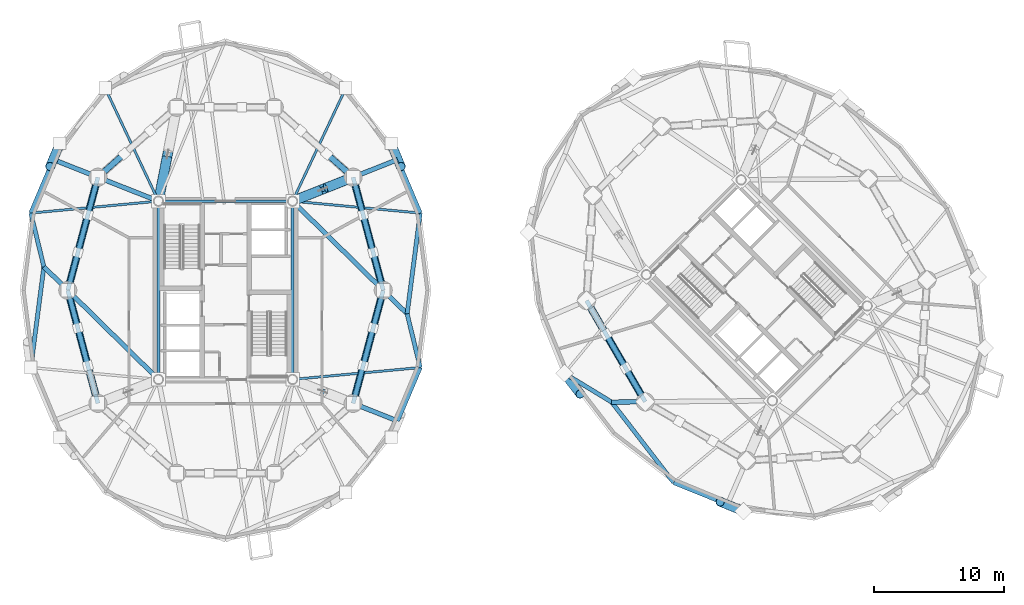
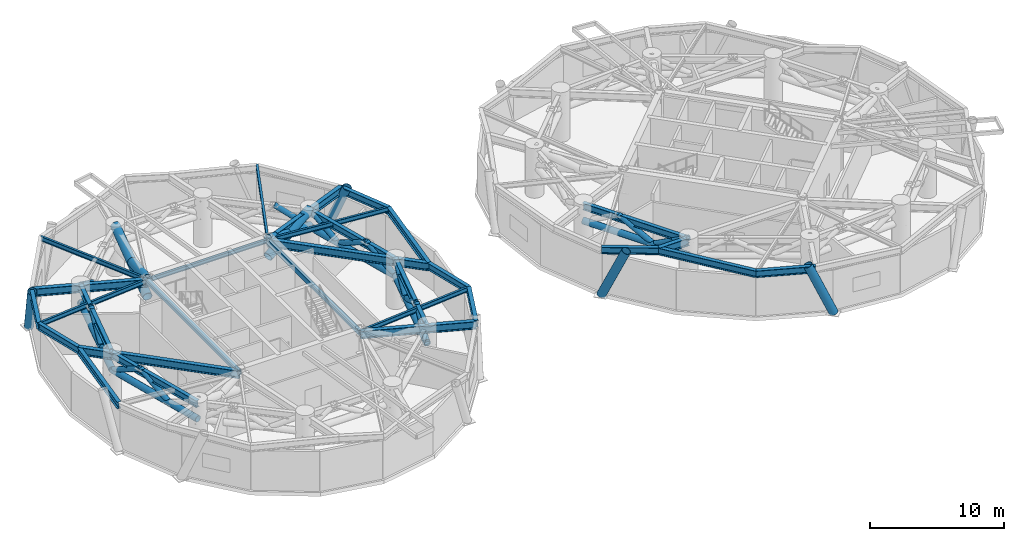
# One storey, part 2 of 16: 31 beams, 29 members.
"""IFC4 building model written with IfcOpenShell, lengths in metres."""

from ifc_helpers import new_model, si_unit, direction, frame, origin, origin_2d, place, context, subcontext, project, spatial, hollow_rectangle, hollow_circle, i_section, extrude, material, material_profile, profile_set, type_object, element, save


model = new_model("IFC4")

# Units and contexts
model_context = context("Model", 3, precision=1e-05, world=origin(), true_north=direction((0.0, 1.0)))
body_context = subcontext(model_context, "Body", "Model", "MODEL_VIEW")
ifc_project = project(units=[si_unit("LENGTHUNIT", "METRE"), si_unit("AREAUNIT", "SQUARE_METRE"), si_unit("VOLUMEUNIT", "CUBIC_METRE"), si_unit("PLANEANGLEUNIT", "RADIAN"), si_unit("MASSUNIT", "GRAM", prefix="KILO")], contexts=[model_context])

# Site, building, storey
site_placement = place(None, origin())
site = spatial("IfcSite", under=ifc_project, at=site_placement, CompositionType="ELEMENT")
building_placement = place(site_placement, origin())
building = spatial("IfcBuilding", under=site, at=building_placement, Name="Cununo Teusaquillo Station Towers", CompositionType="ELEMENT")
storey_placement = place(building_placement, frame((0.0, 0.0, 65.64990234375)))
storey = spatial("IfcBuildingStorey", under=building, at=storey_placement, Name="L20", CompositionType="ELEMENT", Elevation=65.64990234375)

# Beams
ifc_material_1 = material(Name="Steel EN 10025-2 S355J2", Category="steel")
ifc_material_profile_1 = material_profile(ifc_material_1, hollow_rectangle(XDim=0.25, YDim=0.449951171875, WallThickness=0.01611328125, at=origin_2d()), Name="RHS 450x250x16")
ifc_profile_set_1 = profile_set([ifc_material_profile_1], Name="Steel EN 10025-2 S355J2")
beam_type_1 = type_object("IfcBeamType", Name="BM-COUP-1", PredefinedType="USERDEFINED", material=ifc_profile_set_1)
for number, where, z_axis, x_axis, name in (
    (1, (11.324951171875, 17.6201171875, 4.03515625), (0.0, 1.0, 0.0), (-1.0, 0.0, 0.0), "L20 Tower A Core Beam 1"),
    (2, (21.675048828125, 17.6201171875, 4.03515625), (0.0, 1.0, 0.0), (-1.0, 0.0, 0.0), "L20 Tower A Core Beam 2"),
):
    element("IfcBeam", number, at=place(storey_placement, frame(where, z_axis=z_axis, x_axis=x_axis)), inside=storey, type_object=beam_type_1, Name=name, ObjectType="COUPLING BEAM", PredefinedType="USERDEFINED", context=body_context, shape_type="SweptSolid", body=[
        extrude(hollow_rectangle(XDim=0.25, YDim=0.449951171875, WallThickness=0.01611328125, at=origin_2d()), origin(), (0.0, 0.0, 1.0), 13.759765625),
    ])
ifc_material_2 = material(Name="Steel ASTM A572 Grade 50", Category="steel")
ifc_material_profile_2 = material_profile(ifc_material_2, i_section(OverallWidth=0.180908203125, OverallDepth=0.4169921875, WebThickness=0.010986328125, FlangeThickness=0.018310546875, FilletRadius=0.012939453125, at=origin_2d()), Name="W16X57")
ifc_profile_set_2 = profile_set([ifc_material_profile_2], Name="Steel ASTM A572 Grade 50")
beam_type_2 = type_object("IfcBeamType", Name="BM-JOIST-1", PredefinedType="JOIST", material=ifc_profile_set_2)
beam_1_placement = place(storey_placement, frame((21.675048828125, 31.3798828125, 4.051513671875), z_axis=(0.995678537907, -0.09286683558, 0.0), x_axis=(0.09286683558, 0.995678537907, 0.0)))
element("IfcBeam", 3, at=beam_1_placement, inside=storey, type_object=beam_type_2, Name="L20 Tower A Radial Spandrel Joist V01", PredefinedType="JOIST", context=body_context, shape_type="SweptSolid", body=[
    extrude(i_section(OverallWidth=0.180908203125, OverallDepth=0.4169921875, WebThickness=0.010986328125, FlangeThickness=0.018310546875, FilletRadius=0.012939453125, at=origin_2d()), origin(), (0.0, 0.0, 1.0), 9.895263671875),
])
for number, where, z_axis, x_axis, name in (
    (4, (21.675048828125, 31.3798828125, 4.051513671875), (0.426319838016, 0.904572493344, 0.0), (-0.904572493344, 0.426319838016, 0.0), "L20 Tower A Radial Spandrel Joist V03"),
    (5, (11.324951171875, 31.3798828125, 4.051513671875), (-0.426319838016, 0.904572493344, 0.0), (-0.904572493344, -0.426319838016, 0.0), "L20 Tower A Radial Spandrel Joist V07"),
):
    element("IfcBeam", number, at=place(storey_placement, frame(where, z_axis=z_axis, x_axis=x_axis)), inside=storey, type_object=beam_type_2, Name=name, PredefinedType="JOIST", context=body_context, shape_type="SweptSolid", body=[
        extrude(i_section(OverallWidth=0.180908203125, OverallDepth=0.4169921875, WebThickness=0.010986328125, FlangeThickness=0.018310546875, FilletRadius=0.012939453125, at=origin_2d()), origin(), (0.0, 0.0, 1.0), 9.646728515625),
    ])
for number, where, z_axis, x_axis, name in (
    (6, (11.324951171875, 31.3798828125, 4.051513671875), (-0.995678537907, -0.09286683558, 0.0), (0.09286683558, -0.995678537907, 0.0), "L20 Tower A Radial Spandrel Joist V09"),
    (7, (21.675048828125, 17.6201171875, 4.051513671875), (0.995678537907, 0.09286683558, 0.0), (-0.09286683558, 0.995678537907, 0.0), "L20 Tower A Radial Spandrel Joist V19"),
):
    element("IfcBeam", number, at=place(storey_placement, frame(where, z_axis=z_axis, x_axis=x_axis)), inside=storey, type_object=beam_type_2, Name=name, PredefinedType="JOIST", context=body_context, shape_type="SweptSolid", body=[
        extrude(i_section(OverallWidth=0.180908203125, OverallDepth=0.4169921875, WebThickness=0.010986328125, FlangeThickness=0.018310546875, FilletRadius=0.012939453125, at=origin_2d()), origin(), (0.0, 0.0, 1.0), 9.895263671875),
    ])
ifc_material_3 = material(Name="Steel ASTM A572 Grade 50", Category="steel")
ifc_material_profile_3 = material_profile(ifc_material_3, i_section(OverallWidth=0.2041015625, OverallDepth=0.35009765625, WebThickness=0.008544921875, FlangeThickness=0.01513671875, FilletRadius=0.011962890625, at=origin_2d()), Name="W14X48")
ifc_profile_set_3 = profile_set([ifc_material_profile_3], Name="Steel ASTM A572 Grade 50")
beam_type_3 = type_object("IfcBeamType", Name="BM-LINTEL-1", PredefinedType="LINTEL", material=ifc_profile_set_3)
beam_2_placement = place(storey_placement, frame((11.324951171875, 31.3798828125, 4.085205078125), z_axis=(1.0, 0.0, 0.0), x_axis=(0.0, 1.0, 0.0)))
element("IfcBeam", 8, at=beam_2_placement, inside=storey, type_object=beam_type_3, Name="L20 Tower A Core Beam 4", PredefinedType="LINTEL", context=body_context, shape_type="SweptSolid", body=[
    extrude(i_section(OverallWidth=0.2041015625, OverallDepth=0.35009765625, WebThickness=0.008544921875, FlangeThickness=0.01513671875, FilletRadius=0.011962890625, at=origin_2d()), origin(), (0.0, 0.0, 1.0), 10.35009765625),
])
ifc_material_4 = material(Name="Steel ASTM A572 Grade 50", Category="steel")
ifc_material_profile_4 = material_profile(ifc_material_4, i_section(OverallWidth=0.35498046875, OverallDepth=0.696044921875, WebThickness=0.015380859375, FlangeThickness=0.02490234375, FilletRadius=0.01806640625, at=origin_2d()), Name="W27X146")
ifc_profile_set_4 = profile_set([ifc_material_profile_4], Name="Steel ASTM A572 Grade 50")
beam_type_4 = type_object("IfcBeamType", Name="BM-PLNT-G1", PredefinedType="BEAM", material=ifc_profile_set_4)
beam_3_placement = place(storey_placement, frame((21.675048828125, 31.3798828125, 3.912109375), z_axis=(0.713047137857, -0.701116095375, 0.0), x_axis=(0.701116095375, 0.713047137857, 0.0)))
element("IfcBeam", 9, at=beam_3_placement, inside=storey, type_object=beam_type_4, Name="L20 Tower A Continuous Overhanging Radial Girder 01", PredefinedType="BEAM", context=body_context, shape_type="SweptSolid", body=[
    extrude(i_section(OverallWidth=0.35498046875, OverallDepth=0.696044921875, WebThickness=0.015380859375, FlangeThickness=0.02490234375, FilletRadius=0.01806640625, at=origin_2d()), origin(), (0.0, 0.0, 1.0), 12.400390625),
])
beam_4_placement = place(storey_placement, frame((21.675048828125, 31.3798828125, 3.912109375), z_axis=(0.929864104313, 0.367903176814, 0.0), x_axis=(-0.367903176814, 0.929864104313, 0.0)))
element("IfcBeam", 10, at=beam_4_placement, inside=storey, type_object=beam_type_4, Name="L20 Tower A Radial Girder 02A", PredefinedType="BEAM", context=body_context, shape_type="SweptSolid", body=[
    extrude(i_section(OverallWidth=0.35498046875, OverallDepth=0.696044921875, WebThickness=0.015380859375, FlangeThickness=0.02490234375, FilletRadius=0.01806640625, at=origin_2d()), origin(), (0.0, 0.0, 1.0), 5.02490234375),
])
beam_5_placement = place(storey_placement, frame((26.347412109375, 33.228515625, 3.912109375), z_axis=(0.929861788731, 0.367909029323, 0.0), x_axis=(-0.367909029323, 0.929861788731, 0.0)))
element("IfcBeam", 11, at=beam_5_placement, inside=storey, type_object=beam_type_4, Name="L20 Tower A Perimeter Overhang Girder 02B", PredefinedType="BEAM", context=body_context, shape_type="SweptSolid", body=[
    extrude(i_section(OverallWidth=0.35498046875, OverallDepth=0.696044921875, WebThickness=0.015380859375, FlangeThickness=0.02490234375, FilletRadius=0.01806640625, at=origin_2d()), origin(), (0.0, 0.0, 1.0), 3.690185546875),
])
beam_6_placement = place(storey_placement, frame((11.324951171875, 31.3798828125, 3.912109375), z_axis=(-0.929863123823, 0.367905654963, 0.0), x_axis=(-0.367905654963, -0.929863123823, 0.0)))
element("IfcBeam", 12, at=beam_6_placement, inside=storey, type_object=beam_type_4, Name="L20 Tower A Continuous Overhanging Radial Girder 05", PredefinedType="BEAM", context=body_context, shape_type="SweptSolid", body=[
    extrude(i_section(OverallWidth=0.35498046875, OverallDepth=0.696044921875, WebThickness=0.015380859375, FlangeThickness=0.02490234375, FilletRadius=0.01806640625, at=origin_2d()), origin(), (0.0, 0.0, 1.0), 8.715087890625),
])
beam_7_placement = place(storey_placement, frame((11.324951171875, 17.6201171875, 3.912109375), z_axis=(-0.713052701438, 0.701110437073, 0.0), x_axis=(-0.701110437073, -0.713052701438, 0.0)))
element("IfcBeam", 13, at=beam_7_placement, inside=storey, type_object=beam_type_4, Name="L20 Tower A Radial Girder 06A", PredefinedType="BEAM", context=body_context, shape_type="SweptSolid", body=[
    extrude(i_section(OverallWidth=0.35498046875, OverallDepth=0.696044921875, WebThickness=0.015380859375, FlangeThickness=0.02490234375, FilletRadius=0.01806640625, at=origin_2d()), origin(), (0.0, 0.0, 1.0), 9.812744140625),
])
beam_8_placement = place(storey_placement, frame((4.327880859375, 24.5, 3.912109375), z_axis=(-0.7130260383, 0.701137553342, 0.0), x_axis=(-0.701137553342, -0.7130260383, 0.0)))
element("IfcBeam", 14, at=beam_8_placement, inside=storey, type_object=beam_type_4, Name="L20 Tower A Perimeter Overhang Girder 06B", PredefinedType="BEAM", context=body_context, shape_type="SweptSolid", body=[
    extrude(i_section(OverallWidth=0.35498046875, OverallDepth=0.696044921875, WebThickness=0.015380859375, FlangeThickness=0.02490234375, FilletRadius=0.01806640625, at=origin_2d()), origin(), (0.0, 0.0, 1.0), 2.58740234375),
])
beam_9_placement = place(storey_placement, frame((21.675048828125, 17.6201171875, 3.912109375), z_axis=(0.929863123823, -0.367905654963, 0.0), x_axis=(0.367905654963, 0.929863123823, 0.0)))
element("IfcBeam", 15, at=beam_9_placement, inside=storey, type_object=beam_type_4, Name="L20 Tower A Continuous Overhanging Radial Girder 10", PredefinedType="BEAM", context=body_context, shape_type="SweptSolid", body=[
    extrude(i_section(OverallWidth=0.35498046875, OverallDepth=0.696044921875, WebThickness=0.015380859375, FlangeThickness=0.02490234375, FilletRadius=0.01806640625, at=origin_2d()), origin(), (0.0, 0.0, 1.0), 8.715087890625),
])
beam_10_placement = place(storey_placement, frame((48.89306640625, 15.89306640625, 3.912109375), z_axis=(-0.999963950292, -0.008491060999, 0.0), x_axis=(0.008491060999, -0.999963950292, 0.0)))
element("IfcBeam", 16, at=beam_10_placement, inside=storey, type_object=beam_type_4, Name="L20 Tower B Perimeter Overhang Girder 06B", PredefinedType="BEAM", context=body_context, shape_type="SweptSolid", body=[
    extrude(i_section(OverallWidth=0.35498046875, OverallDepth=0.696044921875, WebThickness=0.015380859375, FlangeThickness=0.02490234375, FilletRadius=0.01806640625, at=origin_2d()), origin(), (0.0, 0.0, 1.0), 2.587646484375),
])
ifc_material_5 = material(Name="Steel ASTM A572 Grade 50", Category="steel")
ifc_material_profile_5 = material_profile(ifc_material_5, i_section(OverallWidth=0.324951171875, OverallDepth=0.615966796875, WebThickness=0.013916015625, FlangeThickness=0.021484375, FilletRadius=0.01611328125, at=origin_2d()), Name="W24X117")
ifc_profile_set_5 = profile_set([ifc_material_profile_5], Name="Steel ASTM A572 Grade 50")
beam_type_5 = type_object("IfcBeamType", Name="BM-PLNT-G2", PredefinedType="BEAM", material=ifc_profile_set_5)
for number, where, z_axis, x_axis, name in (
    (17, (28.672119140625, 24.5, 3.9521484375), (-0.257363196347, 0.966314744359, 0.0), (-0.966314744359, -0.257363196347, 0.0), "L20 Tower A Structural Column Ring Girder 01"),
    (18, (6.652587890625, 33.228515625, 3.9521484375), (-0.257363196347, -0.966314744359, 0.0), (0.966314744359, -0.257363196347, 0.0), "L20 Tower A Structural Column Ring Girder 05"),
    (19, (4.327880859375, 24.5, 3.9521484375), (0.257363196347, -0.966314744359, 0.0), (0.966314744359, 0.257363196347, 0.0), "L20 Tower A Structural Column Ring Girder 06"),
    (20, (26.347412109375, 15.771484375, 3.9521484375), (0.257363196347, 0.966314744359, 0.0), (-0.966314744359, 0.257363196347, 0.0), "L20 Tower A Structural Column Ring Girder 10"),
):
    element("IfcBeam", number, at=place(storey_placement, frame(where, z_axis=z_axis, x_axis=x_axis)), inside=storey, type_object=beam_type_5, Name=name, PredefinedType="BEAM", context=body_context, shape_type="SweptSolid", body=[
        extrude(i_section(OverallWidth=0.324951171875, OverallDepth=0.615966796875, WebThickness=0.013916015625, FlangeThickness=0.021484375, FilletRadius=0.01611328125, at=origin_2d()), origin(), (0.0, 0.0, 1.0), 9.03271484375),
    ])
beam_11_placement = place(storey_placement, frame((30.51708984375, 22.685791015625, 3.9521484375), z_axis=(0.12888124113, 0.991660035337, 0.0), x_axis=(-0.991660035337, 0.12888124113, 0.0)))
element("IfcBeam", 21, at=beam_11_placement, inside=storey, type_object=beam_type_5, Name="L20 Tower A Spandrel Ring Beam 01", PredefinedType="BEAM", context=body_context, shape_type="SweptSolid", body=[
    extrude(i_section(OverallWidth=0.324951171875, OverallDepth=0.615966796875, WebThickness=0.013916015625, FlangeThickness=0.021484375, FilletRadius=0.01611328125, at=origin_2d()), origin(), (0.0, 0.0, 1.0), 7.840576171875),
])
for number, where, z_axis, x_axis, name in (
    (22, (31.527587890625, 30.4609375, 3.9521484375), (-0.390299356049, 0.920688010494, 0.0), (-0.920688010494, -0.390299356049, 0.0), "L20 Tower A Spandrel Ring Beam 02"),
    (23, (3.22119140625, 34.586181640625, 3.9521484375), (-0.390299356049, -0.920688010494, 0.0), (0.920688010494, -0.390299356049, 0.0), "L20 Tower A Spandrel Ring Beam 09"),
):
    element("IfcBeam", number, at=place(storey_placement, frame(where, z_axis=z_axis, x_axis=x_axis)), inside=storey, type_object=beam_type_5, Name=name, PredefinedType="BEAM", context=body_context, shape_type="SweptSolid", body=[
        extrude(i_section(OverallWidth=0.324951171875, OverallDepth=0.615966796875, WebThickness=0.013916015625, FlangeThickness=0.021484375, FilletRadius=0.01611328125, at=origin_2d()), origin(), (0.0, 0.0, 1.0), 4.480712890625),
    ])
beam_12_placement = place(storey_placement, frame((1.472412109375, 30.4609375, 3.9521484375), z_axis=(0.236757334703, -0.971568816124, 0.0), x_axis=(0.971568816124, 0.236757334703, 0.0)))
element("IfcBeam", 24, at=beam_12_placement, inside=storey, type_object=beam_type_5, Name="L20 Tower A Spandrel Ring Beam 10", PredefinedType="BEAM", context=body_context, shape_type="SweptSolid", body=[
    extrude(i_section(OverallWidth=0.324951171875, OverallDepth=0.615966796875, WebThickness=0.013916015625, FlangeThickness=0.021484375, FilletRadius=0.01611328125, at=origin_2d()), origin(), (0.0, 0.0, 1.0), 4.26806640625),
])
beam_13_placement = place(storey_placement, frame((2.48291015625, 26.314208984375, 3.9521484375), z_axis=(-0.12888124113, -0.991660035337, 0.0), x_axis=(0.991660035337, -0.12888124113, 0.0)))
element("IfcBeam", 25, at=beam_13_placement, inside=storey, type_object=beam_type_5, Name="L20 Tower A Spandrel Ring Beam 11", PredefinedType="BEAM", context=body_context, shape_type="SweptSolid", body=[
    extrude(i_section(OverallWidth=0.324951171875, OverallDepth=0.615966796875, WebThickness=0.013916015625, FlangeThickness=0.021484375, FilletRadius=0.01611328125, at=origin_2d()), origin(), (0.0, 0.0, 1.0), 7.840576171875),
])
beam_14_placement = place(storey_placement, frame((29.77880859375, 14.413818359375, 3.9521484375), z_axis=(0.390299356049, 0.920688010494, 0.0), x_axis=(-0.920688010494, 0.390299356049, 0.0)))
element("IfcBeam", 26, at=beam_14_placement, inside=storey, type_object=beam_type_5, Name="L20 Tower A Spandrel Ring Beam 19", PredefinedType="BEAM", context=body_context, shape_type="SweptSolid", body=[
    extrude(i_section(OverallWidth=0.324951171875, OverallDepth=0.615966796875, WebThickness=0.013916015625, FlangeThickness=0.021484375, FilletRadius=0.01611328125, at=origin_2d()), origin(), (0.0, 0.0, 1.0), 4.480712890625),
])
beam_15_placement = place(storey_placement, frame((31.527587890625, 18.5390625, 3.9521484375), z_axis=(-0.236757334703, 0.971568816124, 0.0), x_axis=(-0.971568816124, -0.236757334703, 0.0)))
element("IfcBeam", 27, at=beam_15_placement, inside=storey, type_object=beam_type_5, Name="L20 Tower A Spandrel Ring Beam 20", PredefinedType="BEAM", context=body_context, shape_type="SweptSolid", body=[
    extrude(i_section(OverallWidth=0.324951171875, OverallDepth=0.615966796875, WebThickness=0.013916015625, FlangeThickness=0.021484375, FilletRadius=0.01611328125, at=origin_2d()), origin(), (0.0, 0.0, 1.0), 4.26806640625),
])
beam_16_placement = place(storey_placement, frame((44.36474609375, 23.708984375, 3.9521484375), z_axis=(0.501311121078, -0.865267103202, 0.0), x_axis=(0.865267103202, 0.501311121078, 0.0)))
element("IfcBeam", 28, at=beam_16_placement, inside=storey, type_object=beam_type_5, Name="L20 Tower B Structural Column Ring Girder 05", PredefinedType="BEAM", context=body_context, shape_type="SweptSolid", body=[
    extrude(i_section(OverallWidth=0.324951171875, OverallDepth=0.615966796875, WebThickness=0.013916015625, FlangeThickness=0.021484375, FilletRadius=0.01611328125, at=origin_2d()), origin(), (0.0, 0.0, 1.0), 9.032958984375),
])
beam_17_placement = place(storey_placement, frame((42.658935546875, 18.0888671875, 3.9521484375), z_axis=(0.854388492444, -0.519634779416, 0.0), x_axis=(0.519634779416, 0.854388492444, 0.0)))
element("IfcBeam", 29, at=beam_17_placement, inside=storey, type_object=beam_type_5, Name="L20 Tower B Spandrel Ring Beam 10", PredefinedType="BEAM", context=body_context, shape_type="SweptSolid", body=[
    extrude(i_section(OverallWidth=0.324951171875, OverallDepth=0.615966796875, WebThickness=0.013916015625, FlangeThickness=0.021484375, FilletRadius=0.01611328125, at=origin_2d()), origin(), (0.0, 0.0, 1.0), 4.26806640625),
])
beam_18_placement = place(storey_placement, frame((46.305419921875, 15.87109375, 3.9521484375), z_axis=(0.610100441726, -0.792324082056, 0.0), x_axis=(0.792324082056, 0.610100441726, 0.0)))
element("IfcBeam", 30, at=beam_18_placement, inside=storey, type_object=beam_type_5, Name="L20 Tower B Spandrel Ring Beam 11", PredefinedType="BEAM", context=body_context, shape_type="SweptSolid", body=[
    extrude(i_section(OverallWidth=0.324951171875, OverallDepth=0.615966796875, WebThickness=0.013916015625, FlangeThickness=0.021484375, FilletRadius=0.01611328125, at=origin_2d()), origin(), (0.0, 0.0, 1.0), 7.84033203125),
])
beam_19_placement = place(storey_placement, frame((51.0888671875, 9.658935546875, 3.9521484375), z_axis=(0.927007712072, -0.375042266631, 0.0), x_axis=(0.375042266631, 0.927007712072, 0.0)))
element("IfcBeam", 31, at=beam_19_placement, inside=storey, type_object=beam_type_5, Name="L20 Tower B Spandrel Ring Beam 12", PredefinedType="BEAM", context=body_context, shape_type="SweptSolid", body=[
    extrude(i_section(OverallWidth=0.324951171875, OverallDepth=0.615966796875, WebThickness=0.013916015625, FlangeThickness=0.021484375, FilletRadius=0.01611328125, at=origin_2d()), origin(), (0.0, 0.0, 1.0), 4.480712890625),
])

# Members
ifc_material_6 = material(Name="Steel EN 10025-2 S355J2", Category="steel")
ifc_material_profile_6 = material_profile(ifc_material_6, hollow_circle(Radius=0.279541015625, WallThickness=0.02001953125, at=origin_2d()), Name="CHS 559x20")
ifc_profile_set_6 = profile_set([ifc_material_profile_6], Name="Steel EN 10025-2 S355J2")
member_type_1 = type_object("IfcMemberType", Name="MBR-BELT-CH", PredefinedType="CHORD", material=ifc_profile_set_6)
for number, where, z_axis, x_axis, name in (
    (32, (28.672119140625, 24.5, 2.580078125), (-0.257363196347, 0.966314744359, 0.0), (-0.966314744359, -0.257363196347, 0.0), "L20 Tower A Belt Truss Lower Chord 01"),
    (33, (6.652587890625, 33.228515625, 2.580078125), (-0.257363196347, -0.966314744359, 0.0), (0.966314744359, -0.257363196347, 0.0), "L20 Tower A Belt Truss Lower Chord 05"),
    (34, (4.327880859375, 24.5, 2.580078125), (0.257363196347, -0.966314744359, 0.0), (0.966314744359, 0.257363196347, 0.0), "L20 Tower A Belt Truss Lower Chord 06"),
    (35, (26.347412109375, 15.771484375, 2.580078125), (0.257363196347, 0.966314744359, 0.0), (-0.966314744359, 0.257363196347, 0.0), "L20 Tower A Belt Truss Lower Chord 10"),
):
    element("IfcMember", number, at=place(storey_placement, frame(where, z_axis=z_axis, x_axis=x_axis)), inside=storey, type_object=member_type_1, Name=name, PredefinedType="CHORD", context=body_context, shape_type="SweptSolid", body=[
        extrude(hollow_circle(Radius=0.279541015625, WallThickness=0.02001953125, at=origin_2d()), origin(), (0.0, 0.0, 1.0), 9.03271484375),
    ])
member_1_placement = place(storey_placement, frame((44.36474609375, 23.708984375, 2.580078125), z_axis=(0.501311121078, -0.865267103202, 0.0), x_axis=(0.865267103202, 0.501311121078, 0.0)))
element("IfcMember", 36, at=member_1_placement, inside=storey, type_object=member_type_1, Name="L20 Tower B Belt Truss Lower Chord 05", PredefinedType="CHORD", context=body_context, shape_type="SweptSolid", body=[
    extrude(hollow_circle(Radius=0.279541015625, WallThickness=0.02001953125, at=origin_2d()), origin(), (0.0, 0.0, 1.0), 9.032958984375),
])
ifc_material_7 = material(Name="Steel EN 10025-2 S355J2", Category="steel")
ifc_material_profile_7 = material_profile(ifc_material_7, hollow_circle(Radius=0.228515625, WallThickness=0.01611328125, at=origin_2d()), Name="CHS 457x16")
ifc_profile_set_7 = profile_set([ifc_material_profile_7], Name="Steel EN 10025-2 S355J2")
member_type_2 = type_object("IfcMemberType", Name="MBR-BELT-WB", PredefinedType="BRACE", material=ifc_profile_set_7)
member_2_placement = place(storey_placement, frame((28.672119140625, 24.5, 2.580078125), z_axis=(-0.227269174645, 0.85329765414, 0.469288648589), x_axis=(-0.96631295405, -0.257369918281, 0.0)))
element("IfcMember", 37, at=member_2_placement, inside=storey, type_object=member_type_2, Name="L20 Tower A Belt Truss Warren Brace 01A", PredefinedType="BRACE", context=body_context, shape_type="SweptSolid", body=[
    extrude(hollow_circle(Radius=0.228515625, WallThickness=0.01611328125, at=origin_2d()), origin(), (0.0, 0.0, 1.0), 3.40966796875),
])
member_3_placement = place(storey_placement, frame((27.897216796875, 27.409423828125, 4.18017578125), z_axis=(-0.227255289414, 0.85331712011, -0.469259976943), x_axis=(-0.966318324558, -0.257349753494, 0.0)))
element("IfcMember", 38, at=member_3_placement, inside=storey, type_object=member_type_2, Name="L20 Tower A Belt Truss Warren Brace 01B", PredefinedType="BRACE", context=body_context, shape_type="SweptSolid", body=[
    extrude(hollow_circle(Radius=0.228515625, WallThickness=0.01611328125, at=origin_2d()), origin(), (0.0, 0.0, 1.0), 3.409912109375),
])
member_4_placement = place(storey_placement, frame((27.122314453125, 30.319091796875, 2.580078125), z_axis=(-0.227269174645, 0.85329765414, 0.469288648589), x_axis=(-0.96631295405, -0.257369918281, 0.0)))
element("IfcMember", 39, at=member_4_placement, inside=storey, type_object=member_type_2, Name="L20 Tower A Belt Truss Warren Brace 01C", PredefinedType="BRACE", context=body_context, shape_type="SweptSolid", body=[
    extrude(hollow_circle(Radius=0.228515625, WallThickness=0.01611328125, at=origin_2d()), origin(), (0.0, 0.0, 1.0), 3.40966796875),
])
for number, where, z_axis, x_axis, name in (
    (40, (26.347412109375, 33.228515625, 2.580078125), (-0.644459185308, 0.571249862693, 0.508277436884), (-0.663323560468, -0.748332716195, 0.0), "L20 Tower A Belt Truss Warren Brace 02A"),
    (41, (8.681396484375, 35.02685546875, 2.580078125), (-0.644459185308, -0.571249862693, 0.508277436884), (0.663323560468, -0.748332716195, 0.0), "L20 Tower A Belt Truss Warren Brace 04C"),
):
    element("IfcMember", number, at=place(storey_placement, frame(where, z_axis=z_axis, x_axis=x_axis)), inside=storey, type_object=member_type_2, Name=name, PredefinedType="BRACE", context=body_context, shape_type="SweptSolid", body=[
        extrude(hollow_circle(Radius=0.228515625, WallThickness=0.01611328125, at=origin_2d()), origin(), (0.0, 0.0, 1.0), 3.148193359375),
    ])
member_5_placement = place(storey_placement, frame((6.652587890625, 33.228515625, 2.580078125), z_axis=(-0.227269174645, -0.85329765414, 0.469288648589), x_axis=(0.96631295405, -0.257369918281, 0.0)))
element("IfcMember", 42, at=member_5_placement, inside=storey, type_object=member_type_2, Name="L20 Tower A Belt Truss Warren Brace 05A", PredefinedType="BRACE", context=body_context, shape_type="SweptSolid", body=[
    extrude(hollow_circle(Radius=0.228515625, WallThickness=0.01611328125, at=origin_2d()), origin(), (0.0, 0.0, 1.0), 3.40966796875),
])
member_6_placement = place(storey_placement, frame((5.877685546875, 30.319091796875, 4.18017578125), z_axis=(-0.227255289414, -0.85331712011, -0.469259976943), x_axis=(0.966318324558, -0.257349753494, 0.0)))
element("IfcMember", 43, at=member_6_placement, inside=storey, type_object=member_type_2, Name="L20 Tower A Belt Truss Warren Brace 05B", PredefinedType="BRACE", context=body_context, shape_type="SweptSolid", body=[
    extrude(hollow_circle(Radius=0.228515625, WallThickness=0.01611328125, at=origin_2d()), origin(), (0.0, 0.0, 1.0), 3.409912109375),
])
for number, where, z_axis, x_axis, name in (
    (44, (5.102783203125, 27.409423828125, 2.580078125), (-0.227269174645, -0.85329765414, 0.469288648589), (0.96631295405, -0.257369918281, 0.0), "L20 Tower A Belt Truss Warren Brace 05C"),
    (45, (4.327880859375, 24.5, 2.580078125), (0.227269174645, -0.85329765414, 0.469288648589), (0.96631295405, 0.257369918281, 0.0), "L20 Tower A Belt Truss Warren Brace 06A"),
):
    element("IfcMember", number, at=place(storey_placement, frame(where, z_axis=z_axis, x_axis=x_axis)), inside=storey, type_object=member_type_2, Name=name, PredefinedType="BRACE", context=body_context, shape_type="SweptSolid", body=[
        extrude(hollow_circle(Radius=0.228515625, WallThickness=0.01611328125, at=origin_2d()), origin(), (0.0, 0.0, 1.0), 3.40966796875),
    ])
member_7_placement = place(storey_placement, frame((5.102783203125, 21.590576171875, 4.18017578125), z_axis=(0.227255289414, -0.85331712011, -0.469259976943), x_axis=(0.966318324558, 0.257349753494, 0.0)))
element("IfcMember", 46, at=member_7_placement, inside=storey, type_object=member_type_2, Name="L20 Tower A Belt Truss Warren Brace 06B", PredefinedType="BRACE", context=body_context, shape_type="SweptSolid", body=[
    extrude(hollow_circle(Radius=0.228515625, WallThickness=0.01611328125, at=origin_2d()), origin(), (0.0, 0.0, 1.0), 3.409912109375),
])
member_8_placement = place(storey_placement, frame((26.347412109375, 15.771484375, 2.580078125), z_axis=(0.227269174645, 0.85329765414, 0.469288648589), x_axis=(-0.96631295405, 0.257369918281, 0.0)))
element("IfcMember", 47, at=member_8_placement, inside=storey, type_object=member_type_2, Name="L20 Tower A Belt Truss Warren Brace 10A", PredefinedType="BRACE", context=body_context, shape_type="SweptSolid", body=[
    extrude(hollow_circle(Radius=0.228515625, WallThickness=0.01611328125, at=origin_2d()), origin(), (0.0, 0.0, 1.0), 3.40966796875),
])
member_9_placement = place(storey_placement, frame((27.122314453125, 18.680908203125, 4.18017578125), z_axis=(0.227255289414, 0.85331712011, -0.469259976943), x_axis=(-0.966318324558, 0.257349753494, 0.0)))
element("IfcMember", 48, at=member_9_placement, inside=storey, type_object=member_type_2, Name="L20 Tower A Belt Truss Warren Brace 10B", PredefinedType="BRACE", context=body_context, shape_type="SweptSolid", body=[
    extrude(hollow_circle(Radius=0.228515625, WallThickness=0.01611328125, at=origin_2d()), origin(), (0.0, 0.0, 1.0), 3.409912109375),
])
for number, where, z_axis, x_axis, name in (
    (49, (27.897216796875, 21.590576171875, 2.580078125), (0.227269174645, 0.85329765414, 0.469288648589), (-0.96631295405, 0.257369918281, 0.0), "L20 Tower A Belt Truss Warren Brace 10C"),
    (50, (45.874267578125, 21.103515625, 4.18017578125), (0.442654228339, -0.764083350146, -0.469290814062), (0.865283758706, 0.501282372441, 0.0), "L20 Tower B Belt Truss Warren Brace 05B"),
    (51, (47.383544921875, 18.498291015625, 2.580078125), (0.442711799095, -0.764059131189, 0.469275939069), (0.86524858622, 0.50134308018, 0.0), "L20 Tower B Belt Truss Warren Brace 05C"),
):
    element("IfcMember", number, at=place(storey_placement, frame(where, z_axis=z_axis, x_axis=x_axis)), inside=storey, type_object=member_type_2, Name=name, PredefinedType="BRACE", context=body_context, shape_type="SweptSolid", body=[
        extrude(hollow_circle(Radius=0.228515625, WallThickness=0.01611328125, at=origin_2d()), origin(), (0.0, 0.0, 1.0), 3.40966796875),
    ])
ifc_material_8 = material(Name="Steel EN 10025-2 S355J2", Category="steel")
ifc_material_profile_8 = material_profile(ifc_material_8, hollow_circle(Radius=0.360107421875, WallThickness=0.028076171875, at=origin_2d()), Name="CHS 720x28")
ifc_profile_set_8 = profile_set([ifc_material_profile_8], Name="Steel EN 10025-2 S355J2")
member_type_3 = type_object("IfcMemberType", Name="MBR-DIAG-Z1", PredefinedType="BRACE", material=ifc_profile_set_8)
for number, where, z_axis, x_axis, name in (
    (52, (29.283203125, 35.83837890625, -0.139892578125), (0.152671362729, -0.365713913591, 0.918120247249), (0.922816406816, 0.385240028179, 0.0), "L20 Tower A Folded-Zigzag Diagrid Tube C01"),
    (53, (3.716796875, 35.83837890625, -0.139892578125), (-0.152671362729, -0.365713913591, 0.918120247249), (0.922816406816, -0.385240028179, 0.0), "L20 Tower A Folded-Zigzag Diagrid Tube C08"),
):
    element("IfcMember", number, at=place(storey_placement, frame(where, z_axis=z_axis, x_axis=x_axis)), inside=storey, type_object=member_type_3, Name=name, PredefinedType="BRACE", context=body_context, shape_type="SweptSolid", body=[
        extrude(hollow_circle(Radius=0.360107421875, WallThickness=0.028076171875, at=origin_2d()), origin(), (0.0, 0.0, 1.0), 4.9013671875),
    ])
member_10_placement = place(storey_placement, frame((42.658935546875, 18.0888671875, -0.139892578125), z_axis=(0.248212435708, -0.322210272471, 0.91354864516), x_axis=(0.792197972779, 0.610264182076, 0.0)))
element("IfcMember", 54, at=member_10_placement, inside=storey, type_object=member_type_3, Name="L20 Tower B Folded-Zigzag Diagrid Tube C09", PredefinedType="BRACE", context=body_context, shape_type="SweptSolid", body=[
    extrude(hollow_circle(Radius=0.360107421875, WallThickness=0.028076171875, at=origin_2d()), origin(), (0.0, 0.0, 1.0), 4.92578125),
])
member_11_placement = place(storey_placement, frame((56.478271484375, 7.443359375, -0.139892578125), z_axis=(-0.36651471239, 0.150680484504, 0.918129815), x_axis=(-0.380237656053, -0.924888817599, 0.0)))
element("IfcMember", 55, at=member_11_placement, inside=storey, type_object=member_type_3, Name="L20 Tower B Folded-Zigzag Diagrid Tube C11", PredefinedType="BRACE", context=body_context, shape_type="SweptSolid", body=[
    extrude(hollow_circle(Radius=0.360107421875, WallThickness=0.028076171875, at=origin_2d()), origin(), (0.0, 0.0, 1.0), 4.9013671875),
])
ifc_material_9 = material(Name="Steel EN 10025-2 S355J2", Category="steel")
ifc_material_profile_9 = material_profile(ifc_material_9, hollow_circle(Radius=0.3798828125, WallThickness=0.031982421875, at=origin_2d()), Name="CHS 760x32")
ifc_profile_set_9 = profile_set([ifc_material_profile_9], Name="Steel EN 10025-2 S355J2")
member_type_4 = type_object("IfcMemberType", Name="MBR-OUTR-1", PredefinedType="STRUT", material=ifc_profile_set_9)
member_12_placement = place(storey_placement, frame((11.324951171875, 31.3798828125, 2.580078125), z_axis=(0.18719066648, 0.959198598238, 0.211890782057), x_axis=(-0.981484828446, 0.191539895403, 0.0)))
element("IfcMember", 56, at=member_12_placement, inside=storey, type_object=member_type_4, Name="L20 Tower A Outrigger Continuous Diagonal 1A", PredefinedType="STRUT", context=body_context, shape_type="SweptSolid", body=[
    extrude(hollow_circle(Radius=0.3798828125, WallThickness=0.031982421875, at=origin_2d()), origin(), (0.0, 0.0, 1.0), 7.551513671875),
])
member_13_placement = place(storey_placement, frame((11.324951171875, 31.3798828125, 4.18017578125), z_axis=(0.18718557473, 0.95919660795, -0.211904289505), x_axis=(-0.981485733178, 0.191535259332, 0.0)))
element("IfcMember", 57, at=member_13_placement, inside=storey, type_object=member_type_4, Name="L20 Tower A Outrigger Split Upper Strut 1B1", PredefinedType="STRUT", context=body_context, shape_type="SweptSolid", body=[
    extrude(hollow_circle(Radius=0.3798828125, WallThickness=0.031982421875, at=origin_2d()), origin(), (0.0, 0.0, 1.0), 3.535888671875),
])
member_14_placement = place(storey_placement, frame((21.675048828125, 31.3798828125, 2.580078125), z_axis=(0.886025028517, 0.350558131254, 0.30342815534), x_axis=(-0.367903176814, 0.929864104313, 0.0)))
element("IfcMember", 58, at=member_14_placement, inside=storey, type_object=member_type_4, Name="L20 Tower A Outrigger Continuous Diagonal 2A", PredefinedType="STRUT", context=body_context, shape_type="SweptSolid", body=[
    extrude(hollow_circle(Radius=0.3798828125, WallThickness=0.031982421875, at=origin_2d()), origin(), (0.0, 0.0, 1.0), 5.2734375),
])
for number, where, z_axis, x_axis, name in (
    (59, (21.675048828125, 31.3798828125, 4.18017578125), (0.885997877051, 0.350609875007, -0.303447651843), (-0.367959878356, 0.9298416682, 0.0), "L20 Tower A Outrigger Split Upper Strut 2B1"),
    (60, (24.223876953125, 32.388427734375, 3.307373046875), (0.886029516599, 0.350520529618, -0.303458488152), (-0.36786744404, 0.929878241285, 0.0), "L20 Tower A Outrigger Split Lower Strut 2B2"),
):
    element("IfcMember", number, at=place(storey_placement, frame(where, z_axis=z_axis, x_axis=x_axis)), inside=storey, type_object=member_type_4, Name=name, PredefinedType="STRUT", context=body_context, shape_type="SweptSolid", body=[
        extrude(hollow_circle(Radius=0.3798828125, WallThickness=0.031982421875, at=origin_2d()), origin(), (0.0, 0.0, 1.0), 2.396728515625),
    ])

save(model, "model.ifc")
